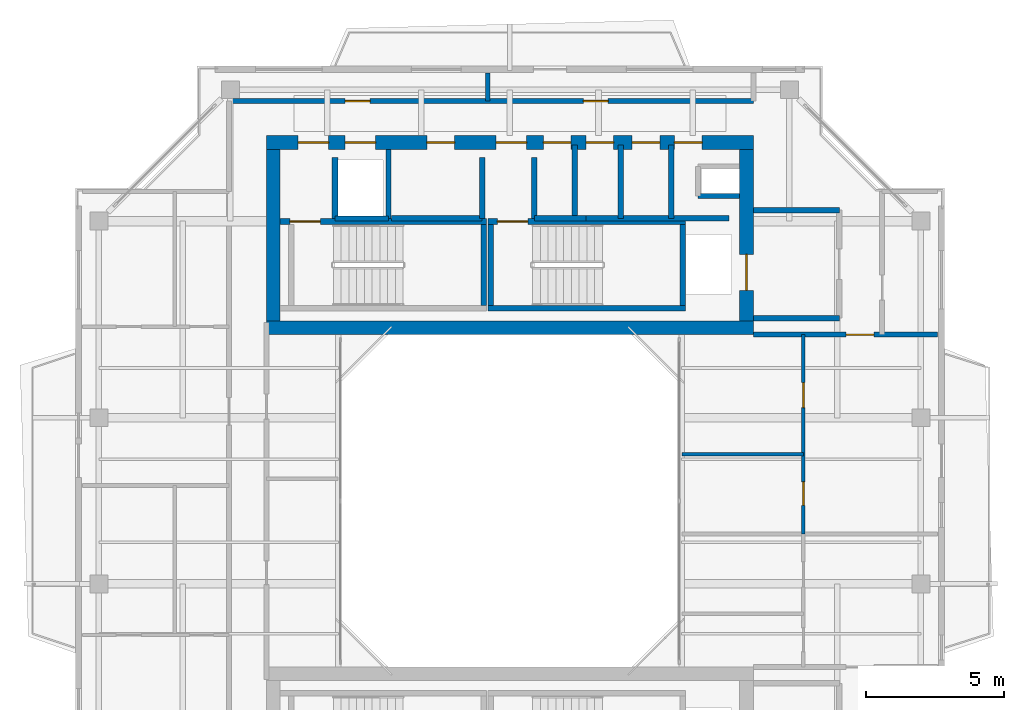
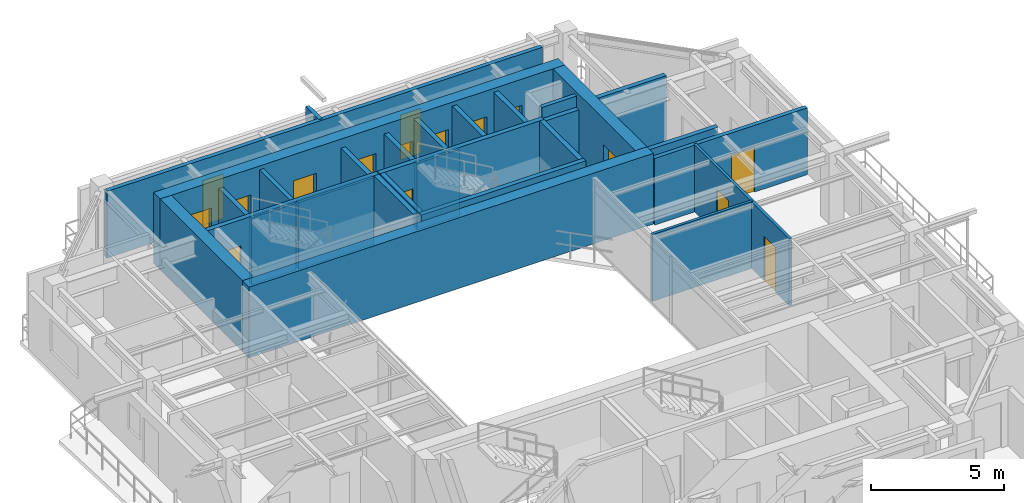
# One storey, part 11 of 14: 29 walls, 16 doors, 16 openings.
"""IFC4 building model written with IfcOpenShell, lengths in metres."""

from ifc_helpers import new_model, si_unit, direction, frame, frame_2d, origin, place, context, subcontext, project, spatial, rectangle, extrude, source, transform, mapped, material, layer, layer_set, type_object, element, fill, save


model = new_model("IFC4")

# Units and contexts
model_context = context("Model", 3, precision=1e-05, world=origin(), true_north=direction((0.0, 1.0)))
body_context = subcontext(model_context, "Body", "Model", "MODEL_VIEW")
ifc_project = project(units=[si_unit("LENGTHUNIT", "METRE"), si_unit("AREAUNIT", "SQUARE_METRE"), si_unit("VOLUMEUNIT", "CUBIC_METRE"), si_unit("PLANEANGLEUNIT", "RADIAN"), si_unit("MASSUNIT", "GRAM", prefix="KILO"), si_unit("THERMODYNAMICTEMPERATUREUNIT", "KELVIN"), si_unit("POWERUNIT", "WATT")], contexts=[model_context])

# Site, building, storey
site_placement = place(None, origin())
site = spatial("IfcSite", under=ifc_project, at=site_placement, CompositionType="ELEMENT")
building_placement = place(site_placement, origin())
building = spatial("IfcBuilding", under=site, at=building_placement, Name="Qiaomeng Ring Towers", CompositionType="ELEMENT")
storey_placement = place(building_placement, frame((0.0, 0.0, 253.5)))
storey = spatial("IfcBuildingStorey", under=building, at=storey_placement, Name="L74", CompositionType="ELEMENT", Elevation=253.5)

# Walls
ifc_material_1 = material(Name="Autoclaved aerated concrete block", Category="concrete")
ifc_layer_1 = layer(ifc_material_1, 0.199951171875, Name="Autoclaved aerated concrete block")
ifc_layer_set_1 = layer_set([ifc_layer_1], Name="Autoclaved aerated concrete block")
wall_type_1 = type_object("IfcWallType", Name="ARC-WL-PW1", PredefinedType="PARTITIONING", material=ifc_layer_set_1)
for number, where, z_axis, x_axis, name in (
    (1, (27.800048828125, 29.60009765625, 0.0), (0.0, 0.0, 1.0), (1.0, 0.0, 0.0), "L74 Interior Wall PW1"),
    (2, (27.800048828125, 33.5, 0.0), (0.0, 0.0, 1.0), (1.0, 0.0, 0.0), "L74 Interior Wall PW1"),
):
    element("IfcWall", number, at=place(storey_placement, frame(where, z_axis=z_axis, x_axis=x_axis)), inside=storey, type_object=wall_type_1, Name=name, PredefinedType="PARTITIONING", context=body_context, shape_type="SweptSolid", body=[
        extrude(rectangle(XDim=3.099853515625, YDim=0.199951171875, at=frame_2d((1.5498046875, 0.0))), origin(), (0.0, 0.0, 1.0), 3.070068359375),
    ])
for number, where, z_axis, x_axis, name in (
    (3, (12.679931640625, 33.18994140625, 0.0), (0.0, 0.0, 1.0), (0.0, 1.0, 0.0), "L74 Interior Wall PW1"),
    (4, (18.0, 33.18994140625, 0.0), (0.0, 0.0, 1.0), (0.0, 1.0, 0.0), "L74 Interior Wall PW1"),
    (5, (19.8798828125, 33.18994140625, 0.0), (0.0, 0.0, 1.0), (0.0, 1.0, 0.0), "L74 Interior Wall PW1"),
):
    element("IfcWall", number, at=place(storey_placement, frame(where, z_axis=z_axis, x_axis=x_axis)), inside=storey, type_object=wall_type_1, Name=name, PredefinedType="PARTITIONING", context=body_context, shape_type="SweptSolid", body=[
        extrude(rectangle(XDim=2.2099609375, YDim=0.199951171875, at=frame_2d((1.10498046875, 0.0))), origin(), (0.0, 0.0, 1.0), 3.070068359375),
    ])
wall_1_placement = place(storey_placement, frame((14.719970703125, 33.199951171875, 0.0), z_axis=(0.0, 0.0, 1.0), x_axis=(1.0, 0.0, 0.0)))
element("IfcWall", 6, at=wall_1_placement, inside=storey, type_object=wall_type_1, Name="L74 Interior Wall PW1", PredefinedType="PARTITIONING", context=body_context, shape_type="SweptSolid", body=[
    extrude(rectangle(XDim=3.280029296875, YDim=0.199951171875, at=frame_2d((1.64013671875, 0.0))), origin(), (0.0, 0.0, 1.0), 3.070068359375),
])
wall_2_placement = place(storey_placement, frame((24.820068359375, 33.199951171875, 0.0), z_axis=(0.0, 0.0, 1.0), x_axis=(0.0, 1.0, 0.0)))
element("IfcWall", 7, at=wall_2_placement, inside=storey, type_object=wall_type_1, Name="L74 Interior Wall PW1", PredefinedType="PARTITIONING", context=body_context, shape_type="SweptSolid", body=[
    extrude(rectangle(XDim=2.650146484375, YDim=0.199951171875, at=frame_2d((1.3251953125, 0.0))), origin(), (0.0, 0.0, 1.0), 3.070068359375),
])
wall_3_placement = place(storey_placement, frame((19.8798828125, 33.199951171875, 0.0), z_axis=(0.0, 0.0, 1.0), x_axis=(1.0, 0.0, 0.0)))
element("IfcWall", 8, at=wall_3_placement, inside=storey, type_object=wall_type_1, Name="L74 Interior Wall PW1", PredefinedType="PARTITIONING", context=body_context, shape_type="SweptSolid", body=[
    extrude(rectangle(XDim=1.8701171875, YDim=0.199951171875, at=frame_2d((0.93505859375, 0.0))), origin(), (0.0, 0.0, 1.0), 3.070068359375),
])
for number, where, z_axis, x_axis, name in (
    (9, (21.340087890625, 33.199951171875, 0.0), (0.0, 0.0, 1.0), (0.0, 1.0, 0.0), "L74 Interior Wall PW1"),
    (10, (23.010009765625, 33.199951171875, 0.0), (0.0, 0.0, 1.0), (0.0, 1.0, 0.0), "L74 Interior Wall PW1"),
):
    element("IfcWall", number, at=place(storey_placement, frame(where, z_axis=z_axis, x_axis=x_axis)), inside=storey, type_object=wall_type_1, Name=name, PredefinedType="PARTITIONING", context=body_context, shape_type="SweptSolid", body=[
        extrude(rectangle(XDim=2.650146484375, YDim=0.199951171875, at=frame_2d((1.3251953125, 0.0))), origin(), (0.0, 0.0, 1.0), 3.070068359375),
    ])
wall_4_placement = place(storey_placement, frame((21.75, 33.199951171875, 0.0), z_axis=(0.0, 0.0, 1.0), x_axis=(1.0, 0.0, 0.0)))
element("IfcWall", 11, at=wall_4_placement, inside=storey, type_object=wall_type_1, Name="L74 Interior Wall PW1", PredefinedType="PARTITIONING", context=body_context, shape_type="SweptSolid", body=[
    extrude(rectangle(XDim=5.169921875, YDim=0.199951171875, at=frame_2d((2.5849609375, 0.0))), origin(), (0.0, 0.0, 1.0), 3.070068359375),
])

# Wall, openings, doors
ifc_layer_2 = layer(ifc_material_1, 0.179931640625, Name="Autoclaved aerated concrete block")
ifc_layer_set_2 = layer_set([ifc_layer_2], Name="Autoclaved aerated concrete block")
wall_type_2 = type_object("IfcWallType", Name="ARC-WL-PW2", PredefinedType="PARTITIONING", material=ifc_layer_set_2)
wall_5_placement = place(storey_placement, frame((8.85009765625, 37.43994140625, 0.0), z_axis=(0.0, 0.0, 1.0), x_axis=(1.0, 0.0, 0.0)))
wall_5 = element("IfcWall", 12, at=wall_5_placement, inside=storey, type_object=wall_type_2, Name="L74 Interior Wall PW2", PredefinedType="PARTITIONING", context=body_context, shape_type="SweptSolid", body=[
    extrude(rectangle(XDim=18.949951171875, YDim=0.179931640625, at=frame_2d((9.47509765625, 0.0))), origin(), (0.0, 0.0, 1.0), 3.070068359375),
])
opening_1_placement = place(wall_5_placement, frame((4.199951171875, 0.0, 0.0)))
opening_1 = element("IfcOpeningElement", 13, at=opening_1_placement, cuts=wall_5, Name="Opening ID1", PredefinedType="OPENING", context=body_context, shape_type="SweptSolid", body=[
    extrude(rectangle(XDim=0.89990234375, YDim=2.050048828125, at=frame_2d((0.449951171875, 1.02490234375))), frame((0.0, 0.099853515625, 0.0), z_axis=(0.0, -1.0, 0.0), x_axis=(1.0, 0.0, 0.0)), (0.0, 0.0, 1.0), 0.199951171875),
])
opening_2_placement = place(wall_5_placement, frame((12.800048828125, 0.0, 0.0)))
opening_2 = element("IfcOpeningElement", 14, at=opening_2_placement, cuts=wall_5, Name="Opening ID1", PredefinedType="OPENING", context=body_context, shape_type="SweptSolid", body=[
    extrude(rectangle(XDim=0.89990234375, YDim=2.050048828125, at=frame_2d((0.449951171875, 1.02490234375))), frame((0.0, 0.099853515625, 0.0), z_axis=(0.0, -1.0, 0.0), x_axis=(1.0, 0.0, 0.0)), (0.0, 0.0, 1.0), 0.199951171875),
])
ifc_material_2 = material(Name="Engineered oak timber", Category="wood")
door_type_1 = type_object("IfcDoorType", Name="ARC-DR-ID1", OperationType="NOTDEFINED", PredefinedType="DOOR", material=ifc_material_2)
shared_shape_1 = source(origin(), body_context, "Body", "SweptSolid", [
    extrude(rectangle(XDim=0.89990234375, YDim=2.050048828125, at=frame_2d((0.449951171875, 1.02490234375))), frame((0.0, 0.02490234375, 0.0), z_axis=(0.0, -1.0, 0.0), x_axis=(1.0, 0.0, 0.0)), (0.0, 0.0, 1.0), 0.050048828125),
])
door_1_placement = place(opening_1_placement, origin())
door_1 = element("IfcDoor", 15, at=door_1_placement, inside=storey, type_object=door_type_1, Name="L74 Door ID1", OperationType="SINGLE_SWING_LEFT", OverallHeight=2.050048828125, OverallWidth=0.89990234375, PredefinedType="DOOR", context=body_context, shape_type="MappedRepresentation", body=[
    mapped(shared_shape_1, transform((0.0, 0.0, 0.0), x_axis=(1.0, 0.0, 0.0), y_axis=(0.0, 1.0, 0.0), z_axis=(0.0, 0.0, 1.0), scale=1.0)),
])
fill(opening_1, door_1)
door_2_placement = place(opening_2_placement, origin())
door_2 = element("IfcDoor", 16, at=door_2_placement, inside=storey, type_object=door_type_1, Name="L74 Door ID1", OperationType="SINGLE_SWING_RIGHT", OverallHeight=2.050048828125, OverallWidth=0.89990234375, PredefinedType="DOOR", context=body_context, shape_type="MappedRepresentation", body=[
    mapped(shared_shape_1, transform((0.0, 0.0, 0.0), x_axis=(1.0, 0.0, 0.0), y_axis=(0.0, 1.0, 0.0), z_axis=(0.0, 0.0, 1.0), scale=1.0)),
])
fill(opening_2, door_2)

# Wall, opening, door
wall_6_placement = place(storey_placement, frame((27.800048828125, 29.0, 0.0), z_axis=(0.0, 0.0, 1.0), x_axis=(1.0, 0.0, 0.0)))
wall_6 = element("IfcWall", 17, at=wall_6_placement, inside=storey, type_object=wall_type_2, Name="L74 Interior Wall PW2", PredefinedType="PARTITIONING", context=body_context, shape_type="SweptSolid", body=[
    extrude(rectangle(XDim=6.64990234375, YDim=0.179931640625, at=frame_2d((3.324951171875, 0.0))), origin(), (0.0, 0.0, 1.0), 3.070068359375),
])
opening_3_placement = place(wall_6_placement, frame((3.35009765625, 0.0, 0.0)))
opening_3 = element("IfcOpeningElement", 18, at=opening_3_placement, cuts=wall_6, Name="Opening FD4", PredefinedType="OPENING", context=body_context, shape_type="SweptSolid", body=[
    extrude(rectangle(XDim=1.0, YDim=2.050048828125, at=frame_2d((0.5, 1.02490234375))), frame((0.0, 0.099853515625, 0.0), z_axis=(0.0, -1.0, 0.0), x_axis=(1.0, 0.0, 0.0)), (0.0, 0.0, 1.0), 0.199951171875),
])
ifc_material_3 = material(Name="Engineered fire-rated oak timber", Category="wood")
door_type_2 = type_object("IfcDoorType", Name="ARC-DR-FD4", OperationType="NOTDEFINED", PredefinedType="DOOR", material=ifc_material_3)
shared_shape_2 = source(origin(), body_context, "Body", "SweptSolid", [
    extrude(rectangle(XDim=1.0, YDim=2.050048828125, at=frame_2d((0.5, 1.02490234375))), frame((0.0, 0.02490234375, 0.0), z_axis=(0.0, -1.0, 0.0), x_axis=(1.0, 0.0, 0.0)), (0.0, 0.0, 1.0), 0.050048828125),
])
door_3_placement = place(opening_3_placement, origin())
door_3 = element("IfcDoor", 19, at=door_3_placement, inside=storey, type_object=door_type_2, Name="L74 Door FD4", OperationType="SINGLE_SWING_RIGHT", OverallHeight=2.050048828125, OverallWidth=1.0, PredefinedType="DOOR", context=body_context, shape_type="MappedRepresentation", body=[
    mapped(shared_shape_2, transform((0.0, 0.0, 0.0), x_axis=(1.0, 0.0, 0.0), y_axis=(0.0, 1.0, 0.0), z_axis=(0.0, 0.0, 1.0), scale=1.0)),
])
fill(opening_3, door_3)

# Wall
ifc_material_4 = material(Name="Gypsum fireboard steel-stud partition", Category="steel")
ifc_layer_3 = layer(ifc_material_4, 0.14990234375, Name="Gypsum fireboard steel-stud partition")
ifc_layer_set_3 = layer_set([ifc_layer_3], Name="Gypsum fireboard steel-stud partition")
wall_type_3 = type_object("IfcWallType", Name="ARC-WL-PW3", PredefinedType="PARTITIONING", material=ifc_layer_set_3)
wall_7_placement = place(storey_placement, frame((18.199951171875, 37.43994140625, 0.0), z_axis=(0.0, 0.0, 1.0), x_axis=(0.0, 1.0, 0.0)))
element("IfcWall", 20, at=wall_7_placement, inside=storey, type_object=wall_type_3, Name="L74 Interior Wall PW3", PredefinedType="PARTITIONING", context=body_context, shape_type="SweptSolid", body=[
    extrude(rectangle(XDim=1.010009765625, YDim=0.14990234375, at=frame_2d((0.5048828125, 0.0))), origin(), (0.0, 0.0, 1.0), 3.070068359375),
])

# Wall, openings, doors
ifc_material_5 = material(Name="Moisture-resistant gypsum steel-stud partition", Category="steel")
ifc_layer_4 = layer(ifc_material_5, 0.1201171875, Name="Moisture-resistant gypsum steel-stud partition")
ifc_layer_set_4 = layer_set([ifc_layer_4], Name="Moisture-resistant gypsum steel-stud partition")
wall_type_4 = type_object("IfcWallType", Name="ARC-WL-PW4", PredefinedType="PLUMBINGWALL", material=ifc_layer_set_4)
wall_8_placement = place(storey_placement, frame((29.60009765625, 21.800048828125, 0.0), z_axis=(0.0, 0.0, 1.0), x_axis=(0.0, 1.0, 0.0)))
wall_8 = element("IfcWall", 21, at=wall_8_placement, inside=storey, type_object=wall_type_4, Name="L74 Interior Wall PW4", PredefinedType="PLUMBINGWALL", context=body_context, shape_type="SweptSolid", body=[
    extrude(rectangle(XDim=7.199951171875, YDim=0.1201171875, at=frame_2d((3.60009765625, 0.0))), origin(), (0.0, 0.0, 1.0), 3.070068359375),
])
opening_4_placement = place(wall_8_placement, frame((1.034912109375, 0.0, 0.0)))
opening_4 = element("IfcOpeningElement", 22, at=opening_4_placement, cuts=wall_8, Name="Opening ID2", PredefinedType="OPENING", context=body_context, shape_type="SweptSolid", body=[
    extrude(rectangle(XDim=0.85009765625, YDim=2.050048828125, at=frame_2d((0.425048828125, 1.02490234375))), frame((0.0, 0.070068359375, 0.0), z_axis=(0.0, -1.0, 0.0), x_axis=(1.0, 0.0, 0.0)), (0.0, 0.0, 1.0), 0.14013671875),
])
opening_5_placement = place(wall_8_placement, frame((4.570068359375, 0.0, 0.0)))
opening_5 = element("IfcOpeningElement", 23, at=opening_5_placement, cuts=wall_8, Name="Opening ID1", PredefinedType="OPENING", context=body_context, shape_type="SweptSolid", body=[
    extrude(rectangle(XDim=0.89990234375, YDim=2.050048828125, at=frame_2d((0.449951171875, 1.02490234375))), frame((0.0, 0.070068359375, 0.0), z_axis=(0.0, -1.0, 0.0), x_axis=(1.0, 0.0, 0.0)), (0.0, 0.0, 1.0), 0.14013671875),
])
ifc_material_6 = material(Name="Moisture-resistant engineered timber", Category="wood")
door_type_3 = type_object("IfcDoorType", Name="ARC-DR-ID2", OperationType="NOTDEFINED", PredefinedType="DOOR", material=ifc_material_6)
shared_shape_3 = source(origin(), body_context, "Body", "SweptSolid", [
    extrude(rectangle(XDim=0.85009765625, YDim=2.050048828125, at=frame_2d((0.425048828125, 1.02490234375))), frame((0.0, 0.02490234375, 0.0), z_axis=(0.0, -1.0, 0.0), x_axis=(1.0, 0.0, 0.0)), (0.0, 0.0, 1.0), 0.050048828125),
])
door_4_placement = place(opening_4_placement, origin())
door_4 = element("IfcDoor", 24, at=door_4_placement, inside=storey, type_object=door_type_3, Name="L74 Door ID2", OperationType="SINGLE_SWING_LEFT", OverallHeight=2.050048828125, OverallWidth=0.85009765625, PredefinedType="DOOR", context=body_context, shape_type="MappedRepresentation", body=[
    mapped(shared_shape_3, transform((0.0, 0.0, 0.0), x_axis=(1.0, 0.0, 0.0), y_axis=(0.0, 1.0, 0.0), z_axis=(0.0, 0.0, 1.0), scale=1.0)),
])
fill(opening_4, door_4)
door_5_placement = place(opening_5_placement, origin())
door_5 = element("IfcDoor", 25, at=door_5_placement, inside=storey, type_object=door_type_1, Name="L74 Door ID1", OperationType="SINGLE_SWING_RIGHT", OverallHeight=2.050048828125, OverallWidth=0.89990234375, PredefinedType="DOOR", context=body_context, shape_type="MappedRepresentation", body=[
    mapped(shared_shape_1, transform((0.0, 0.0, 0.0), x_axis=(1.0, 0.0, 0.0), y_axis=(0.0, 1.0, 0.0), z_axis=(0.0, 0.0, 1.0), scale=1.0)),
])
fill(opening_5, door_5)

# Walls
wall_9_placement = place(storey_placement, frame((25.219970703125, 24.679931640625, 0.0), z_axis=(0.0, 0.0, 1.0), x_axis=(1.0, 0.0, 0.0)))
element("IfcWall", 26, at=wall_9_placement, inside=storey, type_object=wall_type_4, Name="L74 Interior Wall PW4", PredefinedType="PLUMBINGWALL", context=body_context, shape_type="SweptSolid", body=[
    extrude(rectangle(XDim=4.380126953125, YDim=0.1201171875, at=frame_2d((2.18994140625, 0.0))), origin(), (0.0, 0.0, 1.0), 3.070068359375),
])
ifc_material_7 = material(Name="Concrete C40", Category="concrete")
ifc_layer_5 = layer(ifc_material_7, 0.199951171875, Name="Concrete C40")
ifc_layer_set_5 = layer_set([ifc_layer_5], Name="Concrete C40")
wall_type_5 = type_object("IfcWallType", Name="STR-WL-STSHAFT", PredefinedType="SHEAR", material=ifc_layer_set_5)
wall_10_placement = place(storey_placement, frame((12.679931640625, 33.199951171875, 0.0), z_axis=(0.0, 0.0, 1.0), x_axis=(1.0, 0.0, 0.0)))
element("IfcWall", 27, at=wall_10_placement, inside=storey, type_object=wall_type_5, Name="L74 Lift LP5 Shaft Back Wall", PredefinedType="SHEAR", context=body_context, shape_type="SweptSolid", body=[
    extrude(rectangle(XDim=1.940185546875, YDim=0.179931640625, at=frame_2d((0.97021484375, 0.0))), origin(), (0.0, 0.0, 1.0), 3.070068359375),
])
wall_11_placement = place(storey_placement, frame((14.6201171875, 33.199951171875, 0.0), z_axis=(0.0, 0.0, 1.0), x_axis=(0.0, 1.0, 0.0)))
element("IfcWall", 28, at=wall_11_placement, inside=storey, type_object=wall_type_5, Name="L74 Lift LP5-LP3 Shaft Divider Wall", PredefinedType="SHEAR", context=body_context, shape_type="SweptSolid", body=[
    extrude(rectangle(XDim=2.5, YDim=0.179931640625, at=frame_2d((1.25, 0.0))), origin(), (0.0, 0.0, 1.0), 3.070068359375),
])
wall_12_placement = place(storey_placement, frame((25.800048828125, 34.02001953125, 0.0), z_axis=(0.0, 0.0, 1.0), x_axis=(1.0, 0.0, 0.0)))
element("IfcWall", 29, at=wall_12_placement, inside=storey, type_object=wall_type_5, Name="L74 Riser RSR1 South Shaft Wall N", PredefinedType="SHEAR", context=body_context, shape_type="SweptSolid", body=[
    extrude(rectangle(XDim=1.5, YDim=0.179931640625, at=frame_2d((0.75, 0.0))), origin(), (0.0, 0.0, 1.0), 3.070068359375),
])

# Wall, opening, door
wall_13_placement = place(storey_placement, frame((10.699951171875, 33.090087890625, 0.0), z_axis=(0.0, 0.0, 1.0), x_axis=(1.0, 0.0, 0.0)))
wall_13 = element("IfcWall", 30, at=wall_13_placement, inside=storey, type_object=wall_type_5, Name="L74 Stair ST1 North Shaft Shear Wall", PredefinedType="SHEAR", context=body_context, shape_type="SweptSolid", body=[
    extrude(rectangle(XDim=7.449951171875, YDim=0.199951171875, at=frame_2d((3.72509765625, 0.0))), origin(), (0.0, 0.0, 1.0), 3.25),
])
opening_6_placement = place(wall_13_placement, frame((0.35009765625, 0.0, 0.0)))
opening_6 = element("IfcOpeningElement", 31, at=opening_6_placement, cuts=wall_13, Name="Opening FD3", PredefinedType="OPENING", context=body_context, shape_type="SweptSolid", body=[
    extrude(rectangle(XDim=1.10009765625, YDim=2.050048828125, at=frame_2d((0.550048828125, 1.02490234375))), frame((0.0, 0.10986328125, 0.0), z_axis=(0.0, -1.0, 0.0), x_axis=(1.0, 0.0, 0.0)), (0.0, 0.0, 1.0), 0.219970703125),
])
ifc_material_8 = material(Name="Galvanised steel", Category="steel")
door_type_4 = type_object("IfcDoorType", Name="ARC-DR-FD3", OperationType="NOTDEFINED", PredefinedType="DOOR", material=ifc_material_8)
shared_shape_4 = source(origin(), body_context, "Body", "SweptSolid", [
    extrude(rectangle(XDim=1.10009765625, YDim=2.050048828125, at=frame_2d((0.550048828125, 1.02490234375))), frame((0.0, 0.02490234375, 0.0), z_axis=(0.0, -1.0, 0.0), x_axis=(1.0, 0.0, 0.0)), (0.0, 0.0, 1.0), 0.050048828125),
])
door_6_placement = place(opening_6_placement, origin())
door_6 = element("IfcDoor", 32, at=door_6_placement, inside=storey, type_object=door_type_4, Name="L74 Stair ST1 Exit Door", OperationType="SINGLE_SWING_RIGHT", OverallHeight=2.050048828125, OverallWidth=1.10009765625, PredefinedType="DOOR", context=body_context, shape_type="MappedRepresentation", body=[
    mapped(shared_shape_4, transform((0.0, 0.0, 0.0), x_axis=(1.0, 0.0, 0.0), y_axis=(0.0, 1.0, 0.0), z_axis=(0.0, 0.0, 1.0), scale=1.0)),
])
fill(opening_6, door_6)

# Walls
wall_14_placement = place(storey_placement, frame((18.050048828125, 30.050048828125, 0.0), z_axis=(0.0, 0.0, 1.0), x_axis=(0.0, 1.0, 0.0)))
element("IfcWall", 33, at=wall_14_placement, inside=storey, type_object=wall_type_5, Name="L74 Stair ST1 East Shaft Shear Wall", PredefinedType="SHEAR", context=body_context, shape_type="SweptSolid", body=[
    extrude(rectangle(XDim=2.93994140625, YDim=0.199951171875, at=frame_2d((1.469970703125, 0.0))), origin(), (0.0, 0.0, 1.0), 3.25),
])
wall_15_placement = place(storey_placement, frame((18.199951171875, 29.949951171875, 0.0), z_axis=(0.0, 0.0, 1.0), x_axis=(1.0, 0.0, 0.0)))
element("IfcWall", 34, at=wall_15_placement, inside=storey, type_object=wall_type_5, Name="L74 Stair ST2 South Shaft Shear Wall", PredefinedType="SHEAR", context=body_context, shape_type="SweptSolid", body=[
    extrude(rectangle(XDim=7.150146484375, YDim=0.199951171875, at=frame_2d((3.5751953125, 0.0))), origin(), (0.0, 0.0, 1.0), 3.25),
])

# Wall, opening, door
wall_16_placement = place(storey_placement, frame((18.199951171875, 33.090087890625, 0.0), z_axis=(0.0, 0.0, 1.0), x_axis=(1.0, 0.0, 0.0)))
wall_16 = element("IfcWall", 35, at=wall_16_placement, inside=storey, type_object=wall_type_5, Name="L74 Stair ST2 North Shaft Shear Wall", PredefinedType="SHEAR", context=body_context, shape_type="SweptSolid", body=[
    extrude(rectangle(XDim=7.150146484375, YDim=0.199951171875, at=frame_2d((3.5751953125, 0.0))), origin(), (0.0, 0.0, 1.0), 3.25),
])
opening_7_placement = place(wall_16_placement, frame((0.35009765625, 0.0, 0.0)))
opening_7 = element("IfcOpeningElement", 36, at=opening_7_placement, cuts=wall_16, Name="Opening FD3", PredefinedType="OPENING", context=body_context, shape_type="SweptSolid", body=[
    extrude(rectangle(XDim=1.10009765625, YDim=2.050048828125, at=frame_2d((0.550048828125, 1.02490234375))), frame((0.0, 0.10986328125, 0.0), z_axis=(0.0, -1.0, 0.0), x_axis=(1.0, 0.0, 0.0)), (0.0, 0.0, 1.0), 0.219970703125),
])
door_7_placement = place(opening_7_placement, origin())
door_7 = element("IfcDoor", 37, at=door_7_placement, inside=storey, type_object=door_type_4, Name="L74 Stair ST2 Exit Door", OperationType="SINGLE_SWING_RIGHT", OverallHeight=2.050048828125, OverallWidth=1.10009765625, PredefinedType="DOOR", context=body_context, shape_type="MappedRepresentation", body=[
    mapped(shared_shape_4, transform((0.0, 0.0, 0.0), x_axis=(1.0, 0.0, 0.0), y_axis=(0.0, 1.0, 0.0), z_axis=(0.0, 0.0, 1.0), scale=1.0)),
])
fill(opening_7, door_7)

# Walls
for number, where, z_axis, x_axis, name in (
    (38, (18.300048828125, 30.050048828125, 0.0), (0.0, 0.0, 1.0), (0.0, 1.0, 0.0), "L74 Stair ST2 West Shaft Shear Wall"),
    (39, (25.25, 30.050048828125, 0.0), (0.0, 0.0, 1.0), (0.0, 1.0, 0.0), "L74 Stair ST2 East Shaft Shear Wall"),
):
    element("IfcWall", number, at=place(storey_placement, frame(where, z_axis=z_axis, x_axis=x_axis)), inside=storey, type_object=wall_type_5, Name=name, PredefinedType="SHEAR", context=body_context, shape_type="SweptSolid", body=[
        extrude(rectangle(XDim=2.93994140625, YDim=0.199951171875, at=frame_2d((1.469970703125, 0.0))), origin(), (0.0, 0.0, 1.0), 3.25),
    ])
ifc_layer_6 = layer(ifc_material_7, 0.5, Name="Concrete C40")
ifc_layer_set_6 = layer_set([ifc_layer_6], Name="Concrete C40")
wall_type_6 = type_object("IfcWallType", Name="STR-WL-SW3", PredefinedType="SHEAR", material=ifc_layer_set_6)
wall_17_placement = place(storey_placement, frame((10.199951171875, 29.25, 0.0), z_axis=(0.0, 0.0, 1.0), x_axis=(1.0, 0.0, 0.0)))
element("IfcWall", 40, at=wall_17_placement, inside=storey, type_object=wall_type_6, Name="L74 T1NC south core shear wall", PredefinedType="SHEAR", context=body_context, shape_type="SweptSolid", body=[
    extrude(rectangle(XDim=17.60009765625, YDim=0.5, at=frame_2d((8.800048828125, 0.0))), origin(), (0.0, 0.0, 1.0), 3.25),
])

# Wall, openings, doors
wall_18_placement = place(storey_placement, frame((10.199951171875, 35.949951171875, 0.0), z_axis=(0.0, 0.0, 1.0), x_axis=(1.0, 0.0, 0.0)))
wall_18 = element("IfcWall", 41, at=wall_18_placement, inside=storey, type_object=wall_type_6, Name="L74 T1NC north core shear wall", PredefinedType="SHEAR", context=body_context, shape_type="SweptSolid", body=[
    extrude(rectangle(XDim=17.60009765625, YDim=0.5, at=frame_2d((8.800048828125, 0.0))), origin(), (0.0, 0.0, 1.0), 3.25),
])
opening_8_placement = place(wall_18_placement, frame((1.14990234375, 0.0, 0.0)))
opening_8 = element("IfcOpeningElement", 42, at=opening_8_placement, cuts=wall_18, Name="Opening FD3", PredefinedType="OPENING", context=body_context, shape_type="SweptSolid", body=[
    extrude(rectangle(XDim=1.10009765625, YDim=2.050048828125, at=frame_2d((0.550048828125, 1.02490234375))), frame((0.0, 0.260009765625, 0.0), z_axis=(0.0, -1.0, 0.0), x_axis=(1.0, 0.0, 0.0)), (0.0, 0.0, 1.0), 0.52001953125),
])
opening_9_placement = place(wall_18_placement, frame((8.300048828125, 0.0, 0.0)))
opening_9 = element("IfcOpeningElement", 43, at=opening_9_placement, cuts=wall_18, Name="Opening FD3", PredefinedType="OPENING", context=body_context, shape_type="SweptSolid", body=[
    extrude(rectangle(XDim=1.10009765625, YDim=2.050048828125, at=frame_2d((0.550048828125, 1.02490234375))), frame((0.0, 0.260009765625, 0.0), z_axis=(0.0, -1.0, 0.0), x_axis=(1.0, 0.0, 0.0)), (0.0, 0.0, 1.0), 0.52001953125),
])
opening_10_placement = place(wall_18_placement, frame((2.85009765625, 0.0, 0.0)))
opening_10 = element("IfcOpeningElement", 44, at=opening_10_placement, cuts=wall_18, Name="Opening LD1", PredefinedType="OPENING", context=body_context, shape_type="SweptSolid", body=[
    extrude(rectangle(XDim=1.10009765625, YDim=2.050048828125, at=frame_2d((0.550048828125, 1.02490234375))), frame((0.0, 0.260009765625, 0.0), z_axis=(0.0, -1.0, 0.0), x_axis=(1.0, 0.0, 0.0)), (0.0, 0.0, 1.0), 0.52001953125),
])
opening_11_placement = place(wall_18_placement, frame((5.800048828125, 0.0, 0.0)))
opening_11 = element("IfcOpeningElement", 45, at=opening_11_placement, cuts=wall_18, Name="Opening FD1", PredefinedType="OPENING", context=body_context, shape_type="SweptSolid", body=[
    extrude(rectangle(XDim=1.0, YDim=2.050048828125, at=frame_2d((0.5, 1.02490234375))), frame((0.0, 0.260009765625, 0.0), z_axis=(0.0, -1.0, 0.0), x_axis=(1.0, 0.0, 0.0)), (0.0, 0.0, 1.0), 0.52001953125),
])
opening_12_placement = place(wall_18_placement, frame((14.739990234375, 0.0, 0.0)))
opening_12 = element("IfcOpeningElement", 46, at=opening_12_placement, cuts=wall_18, Name="Opening FD1", PredefinedType="OPENING", context=body_context, shape_type="SweptSolid", body=[
    extrude(rectangle(XDim=1.0, YDim=2.050048828125, at=frame_2d((0.5, 1.02490234375))), frame((0.0, 0.260009765625, 0.0), z_axis=(0.0, -1.0, 0.0), x_axis=(1.0, 0.0, 0.0)), (0.0, 0.0, 1.0), 0.52001953125),
])
opening_13_placement = place(wall_18_placement, frame((10.0048828125, 0.0, 0.0)))
opening_13 = element("IfcOpeningElement", 47, at=opening_13_placement, cuts=wall_18, Name="Opening FD1", PredefinedType="OPENING", context=body_context, shape_type="SweptSolid", body=[
    extrude(rectangle(XDim=1.0, YDim=2.050048828125, at=frame_2d((0.5, 1.02490234375))), frame((0.0, 0.260009765625, 0.0), z_axis=(0.0, -1.0, 0.0), x_axis=(1.0, 0.0, 0.0)), (0.0, 0.0, 1.0), 0.52001953125),
])
opening_14_placement = place(wall_18_placement, frame((11.550048828125, 0.0, 0.0)))
opening_14 = element("IfcOpeningElement", 48, at=opening_14_placement, cuts=wall_18, Name="Opening FD1", PredefinedType="OPENING", context=body_context, shape_type="SweptSolid", body=[
    extrude(rectangle(XDim=1.0, YDim=2.050048828125, at=frame_2d((0.5, 1.02490234375))), frame((0.0, 0.260009765625, 0.0), z_axis=(0.0, -1.0, 0.0), x_axis=(1.0, 0.0, 0.0)), (0.0, 0.0, 1.0), 0.52001953125),
])
opening_15_placement = place(wall_18_placement, frame((13.215087890625, 0.0, 0.0)))
opening_15 = element("IfcOpeningElement", 49, at=opening_15_placement, cuts=wall_18, Name="Opening FD1", PredefinedType="OPENING", context=body_context, shape_type="SweptSolid", body=[
    extrude(rectangle(XDim=1.0, YDim=2.050048828125, at=frame_2d((0.5, 1.02490234375))), frame((0.0, 0.260009765625, 0.0), z_axis=(0.0, -1.0, 0.0), x_axis=(1.0, 0.0, 0.0)), (0.0, 0.0, 1.0), 0.52001953125),
])
door_8_placement = place(opening_8_placement, origin())
door_8 = element("IfcDoor", 50, at=door_8_placement, inside=storey, type_object=door_type_4, Name="L74 Stair ST1 Lobby Door", OperationType="SINGLE_SWING_LEFT", OverallHeight=2.050048828125, OverallWidth=1.10009765625, PredefinedType="DOOR", context=body_context, shape_type="MappedRepresentation", body=[
    mapped(shared_shape_4, transform((0.0, 0.0, 0.0), x_axis=(1.0, 0.0, 0.0), y_axis=(0.0, 1.0, 0.0), z_axis=(0.0, 0.0, 1.0), scale=1.0)),
])
fill(opening_8, door_8)
door_9_placement = place(opening_9_placement, origin())
door_9 = element("IfcDoor", 51, at=door_9_placement, inside=storey, type_object=door_type_4, Name="L74 Stair ST2 Lobby Door", OperationType="SINGLE_SWING_LEFT", OverallHeight=2.050048828125, OverallWidth=1.10009765625, PredefinedType="DOOR", context=body_context, shape_type="MappedRepresentation", body=[
    mapped(shared_shape_4, transform((0.0, 0.0, 0.0), x_axis=(1.0, 0.0, 0.0), y_axis=(0.0, 1.0, 0.0), z_axis=(0.0, 0.0, 1.0), scale=1.0)),
])
fill(opening_9, door_9)
ifc_material_9 = material(Name="Stainless steel 316", Category="steel")
door_type_5 = type_object("IfcDoorType", Name="ARC-DR-LD1", OperationType="NOTDEFINED", PredefinedType="DOOR", material=ifc_material_9)
door_10_placement = place(opening_10_placement, origin())
door_10 = element("IfcDoor", 52, at=door_10_placement, inside=storey, type_object=door_type_5, Name="L74 High-Zone Lift LP5 Landing Door", OperationType="SLIDING_TO_LEFT", OverallHeight=2.050048828125, OverallWidth=1.10009765625, PredefinedType="DOOR", context=body_context, shape_type="MappedRepresentation", body=[
    mapped(shared_shape_4, transform((0.0, 0.0, 0.0), x_axis=(1.0, 0.0, 0.0), y_axis=(0.0, 1.0, 0.0), z_axis=(0.0, 0.0, 1.0), scale=1.0)),
])
fill(opening_10, door_10)
door_type_6 = type_object("IfcDoorType", Name="ARC-DR-FD1", OperationType="NOTDEFINED", PredefinedType="DOOR", material=ifc_material_8)
door_11_placement = place(opening_11_placement, origin())
door_11 = element("IfcDoor", 53, at=door_11_placement, inside=storey, type_object=door_type_6, Name="L74 High-Zone Facilities Office Door", OperationType="SINGLE_SWING_LEFT", OverallHeight=2.050048828125, OverallWidth=1.0, PredefinedType="DOOR", context=body_context, shape_type="MappedRepresentation", body=[
    mapped(shared_shape_2, transform((0.0, 0.0, 0.0), x_axis=(1.0, 0.0, 0.0), y_axis=(0.0, 1.0, 0.0), z_axis=(0.0, 0.0, 1.0), scale=1.0)),
])
fill(opening_11, door_11)
door_12_placement = place(opening_12_placement, origin())
door_12 = element("IfcDoor", 54, at=door_12_placement, inside=storey, type_object=door_type_6, Name="L74 North Electrical Riser Door", OperationType="SINGLE_SWING_LEFT", OverallHeight=2.050048828125, OverallWidth=1.0, PredefinedType="DOOR", context=body_context, shape_type="MappedRepresentation", body=[
    mapped(shared_shape_2, transform((0.0, 0.0, 0.0), x_axis=(1.0, 0.0, 0.0), y_axis=(0.0, 1.0, 0.0), z_axis=(0.0, 0.0, 1.0), scale=1.0)),
])
fill(opening_12, door_12)
door_13_placement = place(opening_13_placement, origin())
door_13 = element("IfcDoor", 55, at=door_13_placement, inside=storey, type_object=door_type_6, Name="L74 North Cleaners Cupboard Door", OperationType="SINGLE_SWING_LEFT", OverallHeight=2.050048828125, OverallWidth=1.0, PredefinedType="DOOR", context=body_context, shape_type="MappedRepresentation", body=[
    mapped(shared_shape_2, transform((0.0, 0.0, 0.0), x_axis=(1.0, 0.0, 0.0), y_axis=(0.0, 1.0, 0.0), z_axis=(0.0, 0.0, 1.0), scale=1.0)),
])
fill(opening_13, door_13)
door_14_placement = place(opening_14_placement, origin())
door_14 = element("IfcDoor", 56, at=door_14_placement, inside=storey, type_object=door_type_6, Name="L74 North Staff Tea Pantry Door", OperationType="SINGLE_SWING_RIGHT", OverallHeight=2.050048828125, OverallWidth=1.0, PredefinedType="DOOR", context=body_context, shape_type="MappedRepresentation", body=[
    mapped(shared_shape_2, transform((0.0, 0.0, 0.0), x_axis=(1.0, 0.0, 0.0), y_axis=(0.0, 1.0, 0.0), z_axis=(0.0, 0.0, 1.0), scale=1.0)),
])
fill(opening_14, door_14)
door_15_placement = place(opening_15_placement, origin())
door_15 = element("IfcDoor", 57, at=door_15_placement, inside=storey, type_object=door_type_6, Name="L74 North Records Study Door", OperationType="SINGLE_SWING_LEFT", OverallHeight=2.050048828125, OverallWidth=1.0, PredefinedType="DOOR", context=body_context, shape_type="MappedRepresentation", body=[
    mapped(shared_shape_2, transform((0.0, 0.0, 0.0), x_axis=(1.0, 0.0, 0.0), y_axis=(0.0, 1.0, 0.0), z_axis=(0.0, 0.0, 1.0), scale=1.0)),
])
fill(opening_15, door_15)

# Wall
wall_19_placement = place(storey_placement, frame((10.449951171875, 29.5, 0.0), z_axis=(0.0, 0.0, 1.0), x_axis=(0.0, 1.0, 0.0)))
element("IfcWall", 58, at=wall_19_placement, inside=storey, type_object=wall_type_6, Name="L74 T1NC west core shear wall", PredefinedType="SHEAR", context=body_context, shape_type="SweptSolid", body=[
    extrude(rectangle(XDim=6.199951171875, YDim=0.5, at=frame_2d((3.10009765625, 0.0))), origin(), (0.0, 0.0, 1.0), 3.25),
])

# Wall, opening, door
wall_20_placement = place(storey_placement, frame((27.550048828125, 29.5, 0.0), z_axis=(0.0, 0.0, 1.0), x_axis=(0.0, 1.0, 0.0)))
wall_20 = element("IfcWall", 59, at=wall_20_placement, inside=storey, type_object=wall_type_6, Name="L74 T1NC east core shear wall", PredefinedType="SHEAR", context=body_context, shape_type="SweptSolid", body=[
    extrude(rectangle(XDim=6.199951171875, YDim=0.5, at=frame_2d((3.10009765625, 0.0))), origin(), (0.0, 0.0, 1.0), 3.25),
])
opening_16_placement = place(wall_20_placement, frame((1.10009765625, 0.0, 0.0)))
opening_16 = element("IfcOpeningElement", 60, at=opening_16_placement, cuts=wall_20, Name="Opening LD2", PredefinedType="OPENING", context=body_context, shape_type="SweptSolid", body=[
    extrude(rectangle(XDim=1.300048828125, YDim=2.050048828125, at=frame_2d((0.64990234375, 1.02490234375))), frame((0.0, 0.260009765625, 0.0), z_axis=(0.0, -1.0, 0.0), x_axis=(1.0, 0.0, 0.0)), (0.0, 0.0, 1.0), 0.52001953125),
])
door_type_7 = type_object("IfcDoorType", Name="ARC-DR-LD2", OperationType="NOTDEFINED", PredefinedType="DOOR", material=ifc_material_9)
shared_shape_5 = source(origin(), body_context, "Body", "SweptSolid", [
    extrude(rectangle(XDim=1.300048828125, YDim=2.050048828125, at=frame_2d((0.64990234375, 1.02490234375))), frame((0.0, 0.02490234375, 0.0), z_axis=(0.0, -1.0, 0.0), x_axis=(1.0, 0.0, 0.0)), (0.0, 0.0, 1.0), 0.050048828125),
])
door_16_placement = place(opening_16_placement, origin())
door_16 = element("IfcDoor", 61, at=door_16_placement, inside=storey, type_object=door_type_7, Name="L74 Firefighting Lift FL1 Landing Door", OperationType="SLIDING_TO_LEFT", OverallHeight=2.050048828125, OverallWidth=1.300048828125, PredefinedType="DOOR", context=body_context, shape_type="MappedRepresentation", body=[
    mapped(shared_shape_5, transform((0.0, 0.0, 0.0), x_axis=(1.0, 0.0, 0.0), y_axis=(0.0, 1.0, 0.0), z_axis=(0.0, 0.0, 1.0), scale=1.0)),
])
fill(opening_16, door_16)

save(model, "model.ifc")
